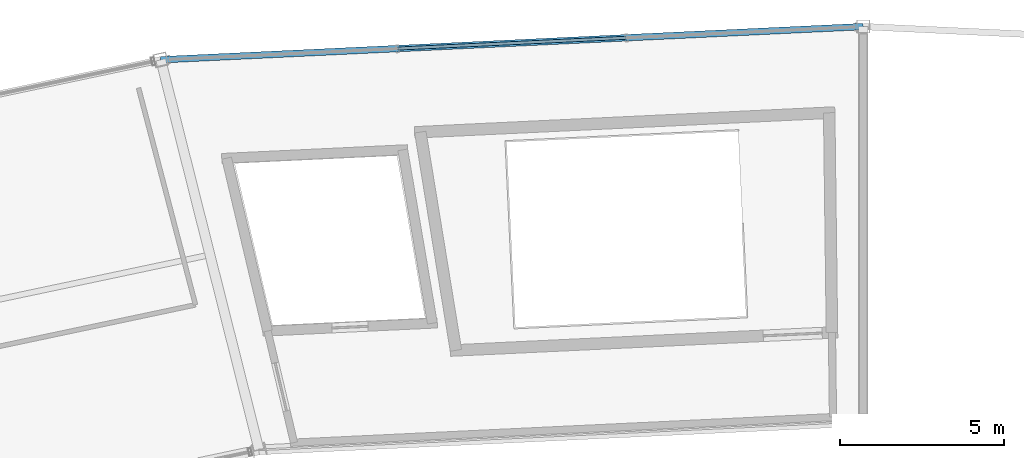
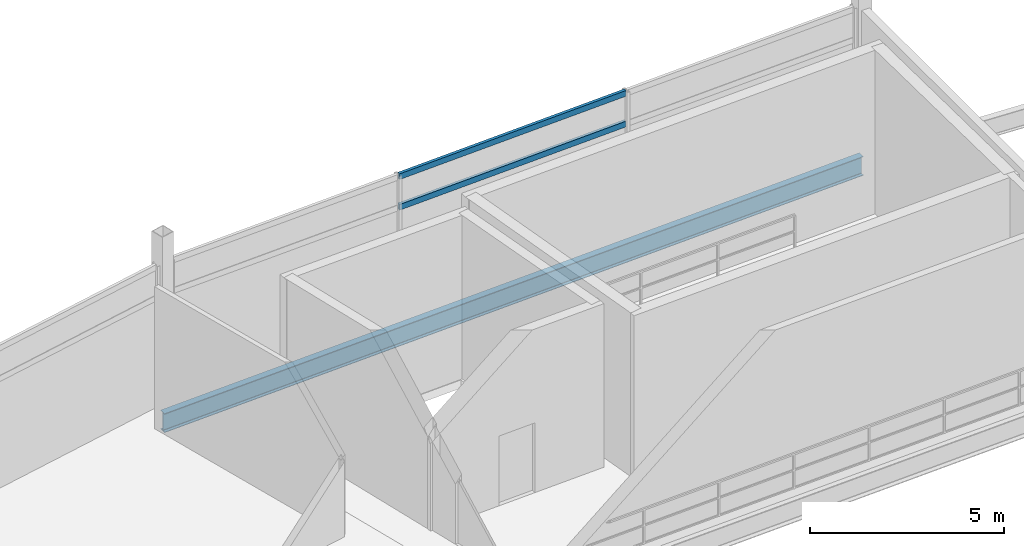
# One storey, part 61 of 86: 2 members, 1 beam, 1 element without a shape of its own.
"""IFC4 building model written with IfcOpenShell, lengths in metres."""

from ifc_helpers import new_model, si_unit, direction, frame, origin, origin_2d, place, context, subcontext, project, spatial, hollow_rectangle, i_section, extrude, material, layer, layer_set, material_profile, profile_set, type_object, element, aggregate, save


model = new_model("IFC4")

# Units and contexts
model_context = context("Model", 3, precision=1e-05, world=origin(), true_north=direction((0.0, 1.0)))
body_context = subcontext(model_context, "Body", "Model", "MODEL_VIEW")
ifc_project = project(units=[si_unit("LENGTHUNIT", "METRE"), si_unit("AREAUNIT", "SQUARE_METRE"), si_unit("VOLUMEUNIT", "CUBIC_METRE"), si_unit("PLANEANGLEUNIT", "RADIAN"), si_unit("MASSUNIT", "GRAM", prefix="KILO")], contexts=[model_context])

# Site, building, storey
site_placement = place(None, origin())
site = spatial("IfcSite", under=ifc_project, at=site_placement, CompositionType="ELEMENT")
building_placement = place(site_placement, origin())
building = spatial("IfcBuilding", under=site, at=building_placement, Name="Kazemori Nagisa Stadium", CompositionType="ELEMENT")
storey_placement = place(building_placement, frame((0.0, 0.0, 31.280029296875)))
storey = spatial("IfcBuildingStorey", under=building, at=storey_placement, Name="L06", CompositionType="ELEMENT", Elevation=31.280029296875)

# Beam
ifc_material_1 = material(Name="Steel SN490B", Category="steel")
ifc_material_profile_1 = material_profile(ifc_material_1, i_section(OverallWidth=0.199951171875, OverallDepth=0.60009765625, WebThickness=0.010986328125, FlangeThickness=0.01708984375, FilletRadius=0.012939453125, at=origin_2d()), Name="H-600x200x11x17")
ifc_profile_set_1 = profile_set([ifc_material_profile_1], Name="Steel SN490B")
beam_type = type_object("IfcBeamType", Name="Beam_BS-H600", PredefinedType="SPANDREL", material=ifc_profile_set_1)
beam_placement = place(storey_placement, frame((123.0, 188.0, -0.56005859375), z_axis=(-0.998883994571, -0.047230979144, 0.0), x_axis=(0.047230979144, -0.998883994571, 0.0)))
element("IfcBeam", 1, at=beam_placement, inside=storey, type_object=beam_type, Name="Ring girder BS-H600 L06 R3-08", PredefinedType="SPANDREL", context=body_context, shape_type="SweptSolid", body=[
    extrude(i_section(OverallWidth=0.199951171875, OverallDepth=0.60009765625, WebThickness=0.010986328125, FlangeThickness=0.01708984375, FilletRadius=0.012939453125, at=origin_2d()), origin(), (0.0, 0.0, 1.0), 21.45166015625),
])

# Curtain wall, members
ifc_material_2 = material(Name="Anodised aluminium 6063-T5", Category="aluminium")
ifc_layer = layer(ifc_material_2, 0.239990234375, Name="Anodised aluminium 6063-T5", Category="aluminium")
ifc_layer_set = layer_set([ifc_layer], Name="Anodised aluminium 6063-T5")
curtain_wall_type = type_object("IfcCurtainWallType", Name="CW_L06R3_105", PredefinedType="USERDEFINED", material=ifc_layer_set)
curtain_wall_placement = place(storey_placement, origin())
curtain_wall = element("IfcCurtainWall", 2, at=curtain_wall_placement, inside=storey, type_object=curtain_wall_type, Name="Unitised curtain wall CW-L06R3-105 L06", ObjectType="UNITISED CURTAIN WALL", PredefinedType="USERDEFINED")
ifc_material_3 = material(Name="Aluminium 6063-T5 anodised", Category="aluminium")
ifc_material_profile_2 = material_profile(ifc_material_3, hollow_rectangle(XDim=0.090087890625, YDim=0.179931640625, WallThickness=0.0048828125, at=origin_2d()), Name="ALU-TRAN-90x180x5")
ifc_profile_set_2 = profile_set([ifc_material_profile_2], Name="Aluminium 6063-T5 anodised")
member_type = type_object("IfcMemberType", Name="Transom_T03", PredefinedType="USERDEFINED", material=ifc_profile_set_2)
member_1_placement = place(storey_placement, frame((115.75927734375, 187.65771484375, 3.47265625), z_axis=(-0.99888286335, -0.047254897163, 0.0), x_axis=(0.047254897163, -0.99888286335, 0.0)))
member_1 = element("IfcMember", 3, at=member_1_placement, type_object=member_type, Name="Curtain wall transom CW-L06R3-105-T2-mid", ObjectType="TRANSOM", PredefinedType="USERDEFINED", context=body_context, shape_type="SweptSolid", body=[
    extrude(hollow_rectangle(XDim=0.090087890625, YDim=0.179931640625, WallThickness=0.0048828125, at=origin_2d()), origin(), (0.0, 0.0, 1.0), 6.9541015625),
])
member_2_placement = place(storey_placement, frame((115.75927734375, 187.65771484375, 4.43994140625), z_axis=(-0.99888286335, -0.047254897163, 0.0), x_axis=(0.047254897163, -0.99888286335, 0.0)))
member_2 = element("IfcMember", 4, at=member_2_placement, type_object=member_type, Name="Curtain wall transom CW-L06R3-105-T2-head", ObjectType="TRANSOM", PredefinedType="USERDEFINED", context=body_context, shape_type="SweptSolid", body=[
    extrude(hollow_rectangle(XDim=0.090087890625, YDim=0.179931640625, WallThickness=0.0048828125, at=origin_2d()), origin(), (0.0, 0.0, 1.0), 6.9541015625),
])
aggregate(curtain_wall, [member_1, member_2])

save(model, "model.ifc")
